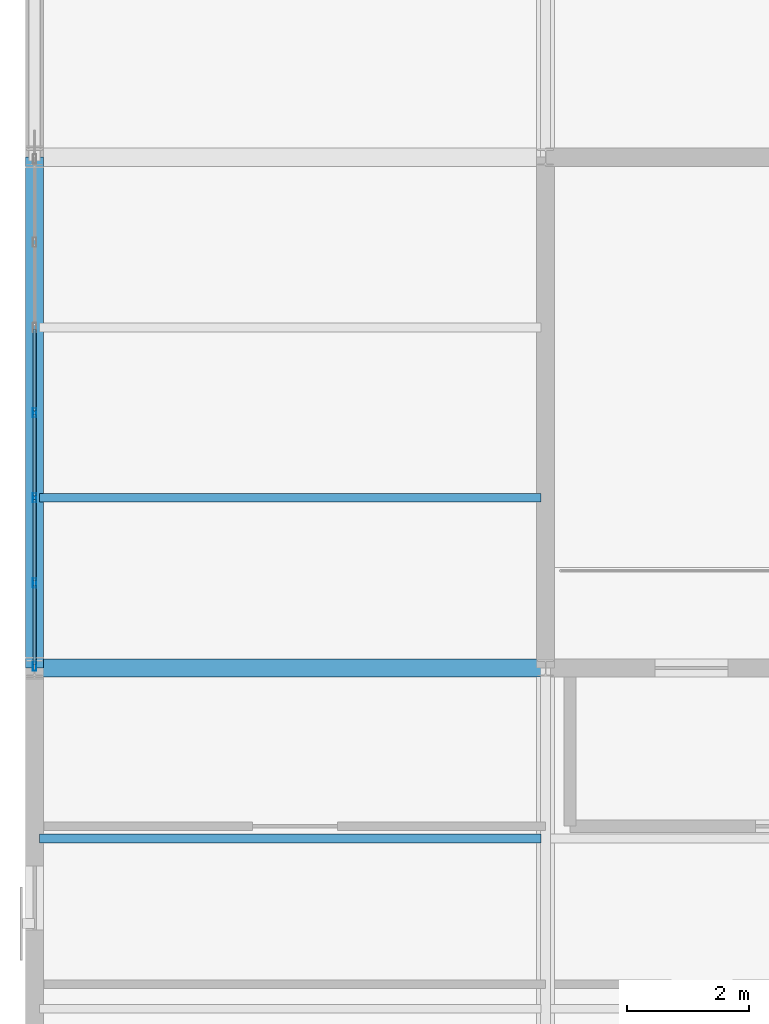
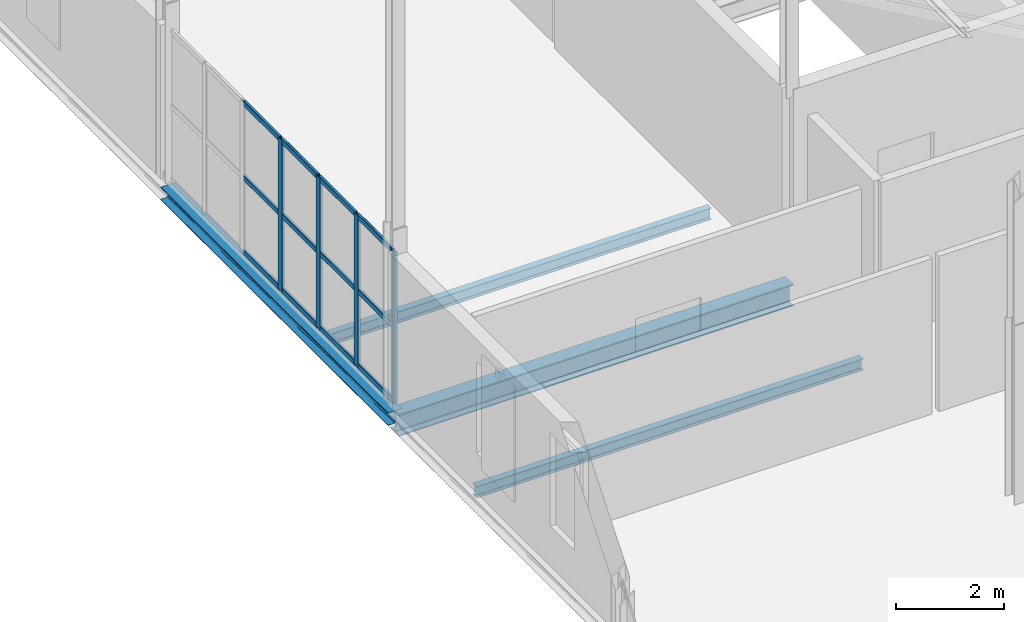
# One storey, part 51 of 184: 16 members, 4 beams, 1 element without a shape of its own.
"""IFC4 building model written with IfcOpenShell, lengths in metres."""

from ifc_helpers import new_model, si_unit, direction, frame, origin, origin_2d, place, context, subcontext, project, spatial, hollow_rectangle, i_section, extrude, material, layer, layer_set, material_profile, profile_set, type_object, element, aggregate, save


model = new_model("IFC4")

# Units and contexts
model_context = context("Model", 3, precision=1e-05, world=origin(), true_north=direction((0.0, 1.0)))
body_context = subcontext(model_context, "Body", "Model", "MODEL_VIEW")
ifc_project = project(units=[si_unit("LENGTHUNIT", "METRE"), si_unit("AREAUNIT", "SQUARE_METRE"), si_unit("VOLUMEUNIT", "CUBIC_METRE"), si_unit("PLANEANGLEUNIT", "RADIAN"), si_unit("MASSUNIT", "GRAM", prefix="KILO")], contexts=[model_context])

# Site, building, storey
site_placement = place(None, origin())
site = spatial("IfcSite", under=ifc_project, at=site_placement, CompositionType="ELEMENT")
building_placement = place(site_placement, origin())
building = spatial("IfcBuilding", under=site, at=building_placement, Name="Qalvenar Corner Mobility Hub", CompositionType="ELEMENT")
storey_placement = place(building_placement, frame((0.0, 0.0, 9.0)))
storey = spatial("IfcBuildingStorey", under=building, at=storey_placement, Name="L02", CompositionType="ELEMENT", Elevation=9.0)

# Beams
ifc_material_1 = material(Name="Steel S355", Category="steel")
ifc_material_profile_1 = material_profile(ifc_material_1, i_section(OverallWidth=0.300048828125, OverallDepth=0.489990234375, WebThickness=0.011962890625, FlangeThickness=0.02294921875, FilletRadius=0.027099609375, at=origin_2d()), Name="HEA500")
ifc_profile_set_1 = profile_set([ifc_material_profile_1], Name="Steel S355")
beam_type_1 = type_object("IfcBeamType", Name="BM-HEA500", PredefinedType="BEAM", material=ifc_profile_set_1)
beam_1_placement = place(storey_placement, frame((0.0, 58.800048828125, -0.425048828125), z_axis=(1.0, 0.0, 0.0), x_axis=(0.0, 1.0, 0.0)))
element("IfcBeam", 1, at=beam_1_placement, inside=storey, type_object=beam_type_1, Name="Primary Steel Girder GX-1823", PredefinedType="BEAM", context=body_context, shape_type="SweptSolid", body=[
    extrude(i_section(OverallWidth=0.300048828125, OverallDepth=0.489990234375, WebThickness=0.011962890625, FlangeThickness=0.02294921875, FilletRadius=0.027099609375, at=origin_2d()), origin(), (0.0, 0.0, 1.0), 8.39990234375),
])
ifc_material_profile_2 = material_profile(ifc_material_1, i_section(OverallWidth=0.14599609375, OverallDepth=0.258056640625, WebThickness=0.006103515625, FlangeThickness=0.009033203125, FilletRadius=0.011962890625, at=origin_2d()), Name="W250x32.7")
ifc_profile_set_2 = profile_set([ifc_material_profile_2], Name="Steel S355")
beam_type_2 = type_object("IfcBeamType", Name="BM-JST250", PredefinedType="JOIST", material=ifc_profile_set_2)
for number, where, z_axis, x_axis, name in (
    (2, (0.077880859375, 56.0, -0.30908203125), (1.0, 0.0, 0.0), (0.0, 1.0, 0.0), "Composite Floor Joist J-1867"),
    (3, (0.077880859375, 61.60009765625, -0.30908203125), (1.0, 0.0, 0.0), (0.0, 1.0, 0.0), "Composite Floor Joist J-1868"),
):
    element("IfcBeam", number, at=place(storey_placement, frame(where, z_axis=z_axis, x_axis=x_axis)), inside=storey, type_object=beam_type_2, Name=name, PredefinedType="JOIST", context=body_context, shape_type="SweptSolid", body=[
        extrude(i_section(OverallWidth=0.14599609375, OverallDepth=0.258056640625, WebThickness=0.006103515625, FlangeThickness=0.009033203125, FilletRadius=0.011962890625, at=origin_2d()), origin(), (0.0, 0.0, 1.0), 8.244140625),
    ])
ifc_material_profile_3 = material_profile(ifc_material_1, i_section(OverallWidth=0.300048828125, OverallDepth=0.2900390625, WebThickness=0.008544921875, FlangeThickness=0.013916015625, FilletRadius=0.027099609375, at=origin_2d()), Name="HEA300")
ifc_profile_set_3 = profile_set([ifc_material_profile_3], Name="Steel S355")
beam_type_3 = type_object("IfcBeamType", Name="BM-SPN300", PredefinedType="SPANDREL", material=ifc_profile_set_3)
beam_2_placement = place(storey_placement, frame((0.0, 58.800048828125, -0.324951171875), z_axis=(0.0, 1.0, 0.0), x_axis=(-1.0, 0.0, 0.0)))
element("IfcBeam", 4, at=beam_2_placement, inside=storey, type_object=beam_type_3, Name="Primary Steel Girder GY-1841", PredefinedType="SPANDREL", context=body_context, shape_type="SweptSolid", body=[
    extrude(i_section(OverallWidth=0.300048828125, OverallDepth=0.2900390625, WebThickness=0.008544921875, FlangeThickness=0.013916015625, FilletRadius=0.027099609375, at=origin_2d()), origin(), (0.0, 0.0, 1.0), 8.39990234375),
])

# Curtain wall, members
ifc_material_2 = material(Name="Anodised Aluminium and Low-E Glazing", Category="aluminium")
ifc_layer = layer(ifc_material_2, 0.14990234375)
ifc_layer_set = layer_set([ifc_layer], Name="Anodised Aluminium and Low-E Glazing")
curtain_wall_type = type_object("IfcCurtainWallType", Name="CW-CYC-84X39", PredefinedType="NOTDEFINED", material=ifc_layer_set)
curtain_wall_placement = place(storey_placement, origin())
curtain_wall = element("IfcCurtainWall", 5, at=curtain_wall_placement, inside=storey, type_object=curtain_wall_type, Name="Glazed Curtain Wall CW-V5-L02-W2", PredefinedType="NOTDEFINED")
ifc_material_3 = material(Name="Anodised Aluminium 6063-T6", Category="aluminium")
ifc_material_profile_4 = material_profile(ifc_material_3, hollow_rectangle(XDim=0.06005859375, YDim=0.14990234375, WallThickness=0.00390625, InnerFilletRadius=0.00390625, OuterFilletRadius=0.008056640625, at=origin_2d()), Name="RHS150x60x4")
ifc_profile_set_4 = profile_set([ifc_material_profile_4], Name="Anodised Aluminium 6063-T6")
member_type_1 = type_object("IfcMemberType", Name="CW-MUL150", PredefinedType="MULLION", material=ifc_profile_set_4)
member_1_placement = place(storey_placement, frame((0.0, 63.0, 0.0), z_axis=(0.0, 0.0, 1.0), x_axis=(1.0, 0.0, 0.0)))
member_1 = element("IfcMember", 6, at=member_1_placement, type_object=member_type_1, Name="CW-08 mullion 4", PredefinedType="MULLION", context=body_context, shape_type="SweptSolid", body=[
    extrude(hollow_rectangle(XDim=0.06005859375, YDim=0.14990234375, WallThickness=0.00390625, InnerFilletRadius=0.00390625, OuterFilletRadius=0.008056640625, at=origin_2d()), origin(), (0.0, 0.0, 1.0), 3.409912109375),
])
member_2_placement = place(storey_placement, frame((0.0, 61.60009765625, 0.0), z_axis=(0.0, 0.0, 1.0), x_axis=(1.0, 0.0, 0.0)))
member_2 = element("IfcMember", 7, at=member_2_placement, type_object=member_type_1, Name="CW-08 mullion 5", PredefinedType="MULLION", context=body_context, shape_type="SweptSolid", body=[
    extrude(hollow_rectangle(XDim=0.06005859375, YDim=0.14990234375, WallThickness=0.00390625, InnerFilletRadius=0.00390625, OuterFilletRadius=0.008056640625, at=origin_2d()), origin(), (0.0, 0.0, 1.0), 3.409912109375),
])
member_3_placement = place(storey_placement, frame((0.0, 60.199951171875, 0.0), z_axis=(0.0, 0.0, 1.0), x_axis=(1.0, 0.0, 0.0)))
member_3 = element("IfcMember", 8, at=member_3_placement, type_object=member_type_1, Name="CW-08 mullion 6", PredefinedType="MULLION", context=body_context, shape_type="SweptSolid", body=[
    extrude(hollow_rectangle(XDim=0.06005859375, YDim=0.14990234375, WallThickness=0.00390625, InnerFilletRadius=0.00390625, OuterFilletRadius=0.008056640625, at=origin_2d()), origin(), (0.0, 0.0, 1.0), 3.409912109375),
])
member_4_placement = place(storey_placement, frame((0.0, 58.830078125, 0.0), z_axis=(0.0, 0.0, 1.0), x_axis=(1.0, 0.0, 0.0)))
member_4 = element("IfcMember", 9, at=member_4_placement, type_object=member_type_1, Name="CW-08 mullion 7", PredefinedType="MULLION", context=body_context, shape_type="SweptSolid", body=[
    extrude(hollow_rectangle(XDim=0.06005859375, YDim=0.14990234375, WallThickness=0.00390625, InnerFilletRadius=0.00390625, OuterFilletRadius=0.008056640625, at=origin_2d()), origin(), (0.0, 0.0, 1.0), 3.409912109375),
])
ifc_material_profile_5 = material_profile(ifc_material_3, hollow_rectangle(XDim=0.054931640625, YDim=0.1201171875, WallThickness=0.00341796875, InnerFilletRadius=0.00341796875, OuterFilletRadius=0.007080078125, at=origin_2d()), Name="RHS120x55x3.5")
ifc_profile_set_5 = profile_set([ifc_material_profile_5], Name="Anodised Aluminium 6063-T6")
member_type_2 = type_object("IfcMemberType", Name="CW-TRN120", PredefinedType="USERDEFINED", material=ifc_profile_set_5)
member_5_placement = place(storey_placement, frame((0.0, 64.3701171875, 0.027587890625), z_axis=(0.0, -1.0, 0.0), x_axis=(1.0, 0.0, 0.0)))
member_5 = element("IfcMember", 10, at=member_5_placement, type_object=member_type_2, Name="CW-08 transom 3.1", ObjectType="TRANSOM", PredefinedType="USERDEFINED", context=body_context, shape_type="SweptSolid", body=[
    extrude(hollow_rectangle(XDim=0.054931640625, YDim=0.1201171875, WallThickness=0.00341796875, InnerFilletRadius=0.00341796875, OuterFilletRadius=0.007080078125, at=origin_2d()), origin(), (0.0, 0.0, 1.0), 1.340087890625),
])
member_6_placement = place(storey_placement, frame((0.0, 64.3701171875, 1.705078125), z_axis=(0.0, -1.0, 0.0), x_axis=(1.0, 0.0, 0.0)))
member_6 = element("IfcMember", 11, at=member_6_placement, type_object=member_type_2, Name="CW-08 transom 3.2", ObjectType="TRANSOM", PredefinedType="USERDEFINED", context=body_context, shape_type="SweptSolid", body=[
    extrude(hollow_rectangle(XDim=0.054931640625, YDim=0.1201171875, WallThickness=0.00341796875, InnerFilletRadius=0.00341796875, OuterFilletRadius=0.007080078125, at=origin_2d()), origin(), (0.0, 0.0, 1.0), 1.340087890625),
])
member_7_placement = place(storey_placement, frame((0.0, 64.3701171875, 3.382568359375), z_axis=(0.0, -1.0, 0.0), x_axis=(1.0, 0.0, 0.0)))
member_7 = element("IfcMember", 12, at=member_7_placement, type_object=member_type_2, Name="CW-08 transom 3.3", ObjectType="TRANSOM", PredefinedType="USERDEFINED", context=body_context, shape_type="SweptSolid", body=[
    extrude(hollow_rectangle(XDim=0.054931640625, YDim=0.1201171875, WallThickness=0.00341796875, InnerFilletRadius=0.00341796875, OuterFilletRadius=0.007080078125, at=origin_2d()), origin(), (0.0, 0.0, 1.0), 1.340087890625),
])
member_8_placement = place(storey_placement, frame((0.0, 62.969970703125, 0.027587890625), z_axis=(0.0, -1.0, 0.0), x_axis=(1.0, 0.0, 0.0)))
member_8 = element("IfcMember", 13, at=member_8_placement, type_object=member_type_2, Name="CW-08 transom 4.1", ObjectType="TRANSOM", PredefinedType="USERDEFINED", context=body_context, shape_type="SweptSolid", body=[
    extrude(hollow_rectangle(XDim=0.054931640625, YDim=0.1201171875, WallThickness=0.00341796875, InnerFilletRadius=0.00341796875, OuterFilletRadius=0.007080078125, at=origin_2d()), origin(), (0.0, 0.0, 1.0), 1.340087890625),
])
member_9_placement = place(storey_placement, frame((0.0, 62.969970703125, 1.705078125), z_axis=(0.0, -1.0, 0.0), x_axis=(1.0, 0.0, 0.0)))
member_9 = element("IfcMember", 14, at=member_9_placement, type_object=member_type_2, Name="CW-08 transom 4.2", ObjectType="TRANSOM", PredefinedType="USERDEFINED", context=body_context, shape_type="SweptSolid", body=[
    extrude(hollow_rectangle(XDim=0.054931640625, YDim=0.1201171875, WallThickness=0.00341796875, InnerFilletRadius=0.00341796875, OuterFilletRadius=0.007080078125, at=origin_2d()), origin(), (0.0, 0.0, 1.0), 1.340087890625),
])
member_10_placement = place(storey_placement, frame((0.0, 62.969970703125, 3.382568359375), z_axis=(0.0, -1.0, 0.0), x_axis=(1.0, 0.0, 0.0)))
member_10 = element("IfcMember", 15, at=member_10_placement, type_object=member_type_2, Name="CW-08 transom 4.3", ObjectType="TRANSOM", PredefinedType="USERDEFINED", context=body_context, shape_type="SweptSolid", body=[
    extrude(hollow_rectangle(XDim=0.054931640625, YDim=0.1201171875, WallThickness=0.00341796875, InnerFilletRadius=0.00341796875, OuterFilletRadius=0.007080078125, at=origin_2d()), origin(), (0.0, 0.0, 1.0), 1.340087890625),
])
member_11_placement = place(storey_placement, frame((0.0, 61.570068359375, 0.027587890625), z_axis=(0.0, -1.0, 0.0), x_axis=(1.0, 0.0, 0.0)))
member_11 = element("IfcMember", 16, at=member_11_placement, type_object=member_type_2, Name="CW-08 transom 5.1", ObjectType="TRANSOM", PredefinedType="USERDEFINED", context=body_context, shape_type="SweptSolid", body=[
    extrude(hollow_rectangle(XDim=0.054931640625, YDim=0.1201171875, WallThickness=0.00341796875, InnerFilletRadius=0.00341796875, OuterFilletRadius=0.007080078125, at=origin_2d()), origin(), (0.0, 0.0, 1.0), 1.340087890625),
])
member_12_placement = place(storey_placement, frame((0.0, 61.570068359375, 1.705078125), z_axis=(0.0, -1.0, 0.0), x_axis=(1.0, 0.0, 0.0)))
member_12 = element("IfcMember", 17, at=member_12_placement, type_object=member_type_2, Name="CW-08 transom 5.2", ObjectType="TRANSOM", PredefinedType="USERDEFINED", context=body_context, shape_type="SweptSolid", body=[
    extrude(hollow_rectangle(XDim=0.054931640625, YDim=0.1201171875, WallThickness=0.00341796875, InnerFilletRadius=0.00341796875, OuterFilletRadius=0.007080078125, at=origin_2d()), origin(), (0.0, 0.0, 1.0), 1.340087890625),
])
member_13_placement = place(storey_placement, frame((0.0, 61.570068359375, 3.382568359375), z_axis=(0.0, -1.0, 0.0), x_axis=(1.0, 0.0, 0.0)))
member_13 = element("IfcMember", 18, at=member_13_placement, type_object=member_type_2, Name="CW-08 transom 5.3", ObjectType="TRANSOM", PredefinedType="USERDEFINED", context=body_context, shape_type="SweptSolid", body=[
    extrude(hollow_rectangle(XDim=0.054931640625, YDim=0.1201171875, WallThickness=0.00341796875, InnerFilletRadius=0.00341796875, OuterFilletRadius=0.007080078125, at=origin_2d()), origin(), (0.0, 0.0, 1.0), 1.340087890625),
])
member_14_placement = place(storey_placement, frame((0.0, 60.169921875, 0.027587890625), z_axis=(0.0, -1.0, 0.0), x_axis=(1.0, 0.0, 0.0)))
member_14 = element("IfcMember", 19, at=member_14_placement, type_object=member_type_2, Name="CW-08 transom 6.1", ObjectType="TRANSOM", PredefinedType="USERDEFINED", context=body_context, shape_type="SweptSolid", body=[
    extrude(hollow_rectangle(XDim=0.054931640625, YDim=0.1201171875, WallThickness=0.00341796875, InnerFilletRadius=0.00341796875, OuterFilletRadius=0.007080078125, at=origin_2d()), origin(), (0.0, 0.0, 1.0), 1.309814453125),
])
member_15_placement = place(storey_placement, frame((0.0, 60.169921875, 1.705078125), z_axis=(0.0, -1.0, 0.0), x_axis=(1.0, 0.0, 0.0)))
member_15 = element("IfcMember", 20, at=member_15_placement, type_object=member_type_2, Name="CW-08 transom 6.2", ObjectType="TRANSOM", PredefinedType="USERDEFINED", context=body_context, shape_type="SweptSolid", body=[
    extrude(hollow_rectangle(XDim=0.054931640625, YDim=0.1201171875, WallThickness=0.00341796875, InnerFilletRadius=0.00341796875, OuterFilletRadius=0.007080078125, at=origin_2d()), origin(), (0.0, 0.0, 1.0), 1.309814453125),
])
member_16_placement = place(storey_placement, frame((0.0, 60.169921875, 3.382568359375), z_axis=(0.0, -1.0, 0.0), x_axis=(1.0, 0.0, 0.0)))
member_16 = element("IfcMember", 21, at=member_16_placement, type_object=member_type_2, Name="CW-08 transom 6.3", ObjectType="TRANSOM", PredefinedType="USERDEFINED", context=body_context, shape_type="SweptSolid", body=[
    extrude(hollow_rectangle(XDim=0.054931640625, YDim=0.1201171875, WallThickness=0.00341796875, InnerFilletRadius=0.00341796875, OuterFilletRadius=0.007080078125, at=origin_2d()), origin(), (0.0, 0.0, 1.0), 1.309814453125),
])
aggregate(curtain_wall, [member_1, member_2, member_3, member_4, member_5, member_6, member_7, member_8, member_9, member_10, member_11, member_12, member_13, member_14, member_15, member_16])

save(model, "model.ifc")
